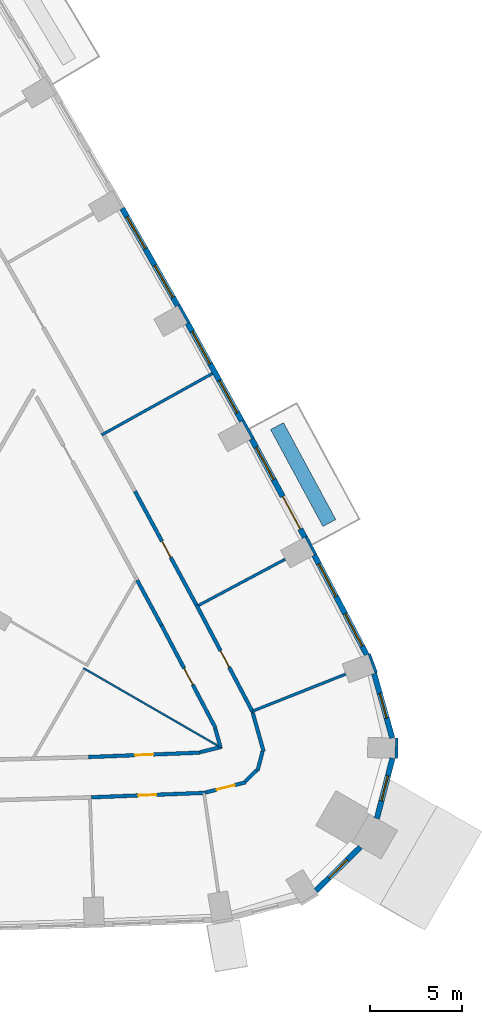
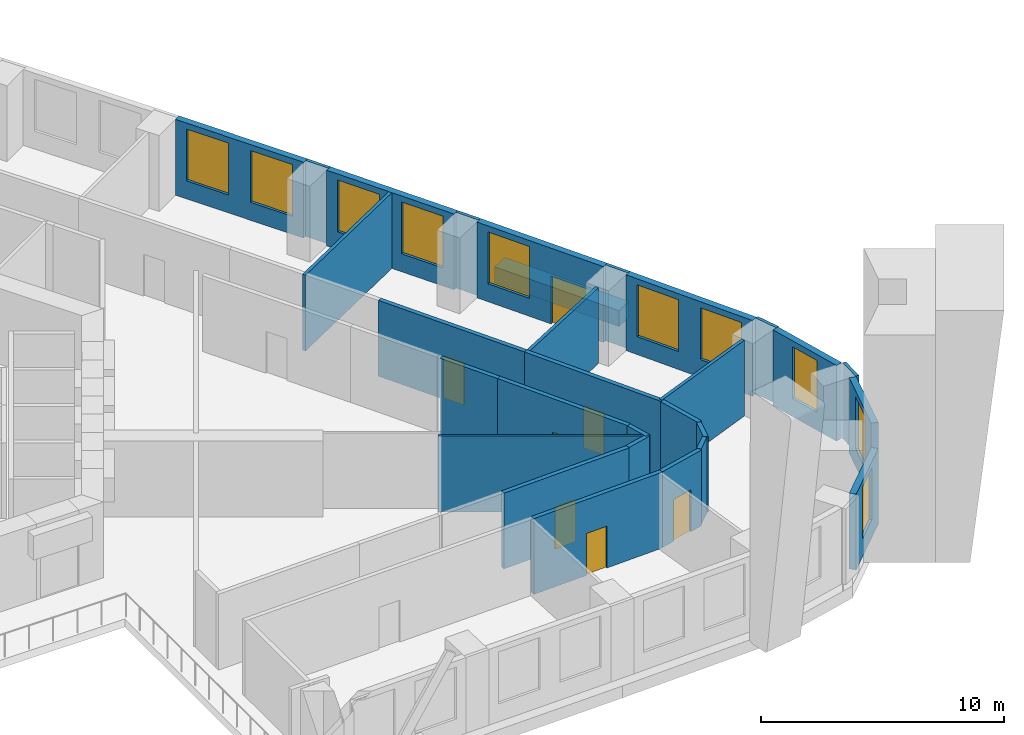
# One storey, part 11 of 15: 29 walls, 10 windows, 7 doors, 17 openings.
"""IFC4 building model written with IfcOpenShell, lengths in metres."""

from ifc_helpers import new_model, si_unit, direction, frame, frame_2d, origin, place, context, subcontext, project, spatial, rectangle, extrude, material, layer, layer_set, type_object, element, fill, save


model = new_model("IFC4")

# Units and contexts
model_context = context("Model", 3, precision=1e-05, world=origin(), true_north=direction((0.0, 1.0)))
body_context = subcontext(model_context, "Body", "Model", "MODEL_VIEW")
ifc_project = project(units=[si_unit("LENGTHUNIT", "METRE"), si_unit("AREAUNIT", "SQUARE_METRE"), si_unit("VOLUMEUNIT", "CUBIC_METRE"), si_unit("PLANEANGLEUNIT", "RADIAN"), si_unit("MASSUNIT", "GRAM", prefix="KILO")], contexts=[model_context])

# Site, building, storey
site_placement = place(None, origin())
site = spatial("IfcSite", under=ifc_project, at=site_placement, CompositionType="ELEMENT")
building_placement = place(site_placement, origin())
building = spatial("IfcBuilding", under=site, at=building_placement, Name="Entoto Arch Interchange Tower", CompositionType="ELEMENT")
storey_placement = place(building_placement, frame((0.0, 0.0, 99.199951171875)))
storey = spatial("IfcBuildingStorey", under=building, at=storey_placement, Name="L21", CompositionType="ELEMENT", Elevation=99.199951171875)

# Walls
ifc_material_1 = material(Name="Gypsum board partition on steel studs", Category="steel")
ifc_layer_1 = layer(ifc_material_1, 0.10009765625)
ifc_layer_set_1 = layer_set([ifc_layer_1], Name="Gypsum board partition on steel studs")
wall_type_1 = type_object("IfcWallType", Name="PARTITION 100", PredefinedType="PARTITIONING", material=ifc_layer_set_1)
wall_1_placement = place(storey_placement, frame((21.196044921875, -12.238037109375, 0.0), z_axis=(0.0, 0.0, 1.0), x_axis=(0.866023145199, -0.500003911965, 0.0)))
element("IfcWall", 1, at=wall_1_placement, inside=storey, type_object=wall_type_1, Name="wall:L21:p126", PredefinedType="PARTITIONING", context=body_context, shape_type="SweptSolid", body=[
    extrude(rectangle(XDim=8.7099609375, YDim=0.10009765625, at=frame_2d((4.35498046875, 0.0))), origin(), (0.0, 0.0, 1.0), 3.800048828125),
])
ifc_layer_2 = layer(ifc_material_1, 0.14990234375)
ifc_layer_set_2 = layer_set([ifc_layer_2], Name="Gypsum board partition on steel studs")
wall_type_2 = type_object("IfcWallType", Name="PARTITION 150", PredefinedType="PARTITIONING", material=ifc_layer_set_2)
wall_2_placement = place(storey_placement, frame((30.39892578125, -14.587890625, 0.0), z_axis=(0.0, 0.0, 1.0), x_axis=(0.92913411584, 0.36974287658, 0.0)))
element("IfcWall", 2, at=wall_2_placement, inside=storey, type_object=wall_type_2, Name="wall:L21:p139", PredefinedType="PARTITIONING", context=body_context, shape_type="SweptSolid", body=[
    extrude(rectangle(XDim=5.468505859375, YDim=0.14990234375, at=frame_2d((2.734375, 0.0))), origin(), (0.0, 0.0, 1.0), 3.800048828125),
])
wall_3_placement = place(storey_placement, frame((27.47607421875, -8.81396484375, 0.0), z_axis=(0.0, 0.0, 1.0), x_axis=(0.882440424847, 0.47042416668, 0.0)))
element("IfcWall", 3, at=wall_3_placement, inside=storey, type_object=wall_type_2, Name="wall:L21:p140", PredefinedType="PARTITIONING", context=body_context, shape_type="SweptSolid", body=[
    extrude(rectangle(XDim=5.329345703125, YDim=0.14990234375, at=frame_2d((2.66455078125, 0.0))), origin(), (0.0, 0.0, 1.0), 3.800048828125),
])
wall_4_placement = place(storey_placement, frame((22.18505859375, 0.472900390625, 0.0), z_axis=(0.0, 0.0, 1.0), x_axis=(0.874372498137, 0.485255329184, 0.0)))
element("IfcWall", 4, at=wall_4_placement, inside=storey, type_object=wall_type_2, Name="wall:L21:p141", PredefinedType="PARTITIONING", context=body_context, shape_type="SweptSolid", body=[
    extrude(rectangle(XDim=6.899658203125, YDim=0.14990234375, at=frame_2d((3.44970703125, 0.0))), origin(), (0.0, 0.0, 1.0), 3.800048828125),
])

# Wall, opening, door
ifc_layer_3 = layer(ifc_material_1, 0.199951171875)
ifc_layer_set_3 = layer_set([ifc_layer_3], Name="Gypsum board partition on steel studs")
wall_type_3 = type_object("IfcWallType", Name="PARTITION 200", PredefinedType="PARTITIONING", material=ifc_layer_set_3)
wall_5_placement = place(storey_placement, frame((21.470947265625, -17.0830078125, 0.0), z_axis=(0.0, 0.0, 1.0), x_axis=(0.999221407079, 0.039453512338, 0.0)))
wall_5 = element("IfcWall", 5, at=wall_5_placement, inside=storey, type_object=wall_type_3, Name="wall:L21:p022", PredefinedType="PARTITIONING", context=body_context, shape_type="SweptSolid", body=[
    extrude(rectangle(XDim=6.082763671875, YDim=0.199951171875, at=frame_2d((3.04150390625, 0.0))), origin(), (0.0, 0.0, 1.0), 3.800048828125),
])
opening_1_placement = place(wall_5_placement, frame((2.541015625, 0.0, 0.0)))
opening_1 = element("IfcOpeningElement", 6, at=opening_1_placement, cuts=wall_5, Name="Opening L21-D23", PredefinedType="OPENING", context=body_context, shape_type="SweptSolid", body=[
    extrude(rectangle(XDim=1.0, YDim=2.10009765625, at=frame_2d((0.5, 1.050048828125))), frame((0.0, 0.10986328125, 0.0), z_axis=(0.0, -1.0, 0.0), x_axis=(1.0, 0.0, 0.0)), (0.0, 0.0, 1.0), 0.219970703125),
])
ifc_material_2 = material(Name="Timber door leaf in Steel S235 frame", Category="steel")
door_type_1 = type_object("IfcDoorType", Name="DOOR DS-10 1000x2100", OperationType="SINGLE_SWING_LEFT", PredefinedType="DOOR", material=ifc_material_2)
door_1_placement = place(opening_1_placement, origin())
door_1 = element("IfcDoor", 7, at=door_1_placement, inside=storey, type_object=door_type_1, Name="door:L21:23", OperationType="SINGLE_SWING_LEFT", OverallHeight=2.10009765625, OverallWidth=1.0, PredefinedType="DOOR", context=body_context, shape_type="SweptSolid", body=[
    extrude(rectangle(XDim=1.0, YDim=2.10009765625, at=frame_2d((0.5, 1.050048828125))), frame((0.0, 0.02490234375, 0.0), z_axis=(0.0, -1.0, 0.0), x_axis=(1.0, 0.0, 0.0)), (0.0, 0.0, 1.0), 0.050048828125),
])
fill(opening_1, door_1)

# Walls
wall_6_placement = place(storey_placement, frame((27.5458984375, -16.822021484375, 0.0), z_axis=(0.0, 0.0, 1.0), x_axis=(0.969694756333, 0.244319625777, 0.0)))
element("IfcWall", 8, at=wall_6_placement, inside=storey, type_object=wall_type_3, Name="wall:L21:p023", PredefinedType="PARTITIONING", context=body_context, shape_type="SweptSolid", body=[
    extrude(rectangle(XDim=1.191162109375, YDim=0.199951171875, at=frame_2d((0.595703125, 0.0))), origin(), (0.0, 0.0, 1.0), 3.800048828125),
])
wall_7_placement = place(storey_placement, frame((28.662109375, -16.541015625, 0.0), z_axis=(0.0, 0.0, 1.0), x_axis=(-0.270771802087, 0.96264356394, 0.0)))
element("IfcWall", 9, at=wall_7_placement, inside=storey, type_object=wall_type_3, Name="wall:L21:p024", PredefinedType="PARTITIONING", context=body_context, shape_type="SweptSolid", body=[
    extrude(rectangle(XDim=1.078369140625, YDim=0.199951171875, at=frame_2d((0.5390625, 0.0))), origin(), (0.0, 0.0, 1.0), 3.800048828125),
])

# Wall, opening, door
wall_8_placement = place(storey_placement, frame((28.389892578125, -15.4951171875, 0.0), z_axis=(0.0, 0.0, 1.0), x_axis=(-0.465367816287, 0.885117390838, 0.0)))
wall_8 = element("IfcWall", 10, at=wall_8_placement, inside=storey, type_object=wall_type_3, Name="wall:L21:p025", PredefinedType="PARTITIONING", context=body_context, shape_type="SweptSolid", body=[
    extrude(rectangle(XDim=6.325927734375, YDim=0.199951171875, at=frame_2d((3.1630859375, 0.0))), origin(), (0.0, 0.0, 1.0), 3.800048828125),
])
opening_2_placement = place(wall_8_placement, frame((2.6630859375, 0.0, 0.0)))
opening_2 = element("IfcOpeningElement", 11, at=opening_2_placement, cuts=wall_8, Name="Opening L21-D24", PredefinedType="OPENING", context=body_context, shape_type="SweptSolid", body=[
    extrude(rectangle(XDim=1.0, YDim=2.10009765625, at=frame_2d((0.5, 1.050048828125))), frame((0.0, 0.10986328125, 0.0), z_axis=(0.0, -1.0, 0.0), x_axis=(1.0, 0.0, 0.0)), (0.0, 0.0, 1.0), 0.219970703125),
])
door_2_placement = place(opening_2_placement, origin())
door_2 = element("IfcDoor", 12, at=door_2_placement, inside=storey, type_object=door_type_1, Name="door:L21:24", OperationType="SINGLE_SWING_LEFT", OverallHeight=2.10009765625, OverallWidth=1.0, PredefinedType="DOOR", context=body_context, shape_type="SweptSolid", body=[
    extrude(rectangle(XDim=1.0, YDim=2.10009765625, at=frame_2d((0.5, 1.050048828125))), frame((0.0, 0.02490234375, 0.0), z_axis=(0.0, -1.0, 0.0), x_axis=(1.0, 0.0, 0.0)), (0.0, 0.0, 1.0), 0.050048828125),
])
fill(opening_2, door_2)

# Wall
wall_9_placement = place(storey_placement, frame((25.446044921875, -9.89599609375, 0.0), z_axis=(0.0, 0.0, 1.0), x_axis=(-0.475427182652, 0.879755076141, 0.0)))
element("IfcWall", 13, at=wall_9_placement, inside=storey, type_object=wall_type_3, Name="wall:L21:p026", PredefinedType="PARTITIONING", context=body_context, shape_type="SweptSolid", body=[
    extrude(rectangle(XDim=2.784912109375, YDim=0.199951171875, at=frame_2d((1.392578125, 0.0))), origin(), (0.0, 0.0, 1.0), 3.800048828125),
])

# Wall, opening, door
wall_10_placement = place(storey_placement, frame((27.864990234375, -19.031982421875, 0.0), z_axis=(0.0, 0.0, 1.0), x_axis=(-0.999218029978, -0.039538950003, 0.0)))
wall_10 = element("IfcWall", 14, at=wall_10_placement, inside=storey, type_object=wall_type_3, Name="wall:L21:p044", PredefinedType="PARTITIONING", context=body_context, shape_type="SweptSolid", body=[
    extrude(rectangle(XDim=6.248779296875, YDim=0.199951171875, at=frame_2d((3.12451171875, 0.0))), origin(), (0.0, 0.0, 1.0), 3.800048828125),
])
opening_3_placement = place(wall_10_placement, frame((2.698974609375, 0.0, 0.0)))
opening_3 = element("IfcOpeningElement", 15, at=opening_3_placement, cuts=wall_10, Name="Opening L21-D02", PredefinedType="OPENING", context=body_context, shape_type="SweptSolid", body=[
    extrude(rectangle(XDim=1.0, YDim=2.10009765625, at=frame_2d((0.5, 1.050048828125))), frame((0.0, 0.10986328125, 0.0), z_axis=(0.0, -1.0, 0.0), x_axis=(1.0, 0.0, 0.0)), (0.0, 0.0, 1.0), 0.219970703125),
])
door_3_placement = place(opening_3_placement, origin())
door_3 = element("IfcDoor", 16, at=door_3_placement, inside=storey, type_object=door_type_1, Name="door:L21:02", OperationType="SINGLE_SWING_LEFT", OverallHeight=2.10009765625, OverallWidth=1.0, PredefinedType="DOOR", context=body_context, shape_type="SweptSolid", body=[
    extrude(rectangle(XDim=1.0, YDim=2.10009765625, at=frame_2d((0.5, 1.050048828125))), frame((0.0, 0.02490234375, 0.0), z_axis=(0.0, -1.0, 0.0), x_axis=(1.0, 0.0, 0.0)), (0.0, 0.0, 1.0), 0.050048828125),
])
fill(opening_3, door_3)

# Walls
wall_11_placement = place(storey_placement, frame((30.426025390625, -14.68505859375, 0.0), z_axis=(0.0, 0.0, 1.0), x_axis=(0.270131711391, -0.962823378664, 0.0)))
element("IfcWall", 17, at=wall_11_placement, inside=storey, type_object=wall_type_3, Name="wall:L21:p045", PredefinedType="PARTITIONING", context=body_context, shape_type="SweptSolid", body=[
    extrude(rectangle(XDim=2.16552734375, YDim=0.199951171875, at=frame_2d((1.082763671875, 0.0))), origin(), (0.0, 0.0, 1.0), 3.800048828125),
])
wall_12_placement = place(storey_placement, frame((30.958984375, -16.77099609375, 0.0), z_axis=(0.0, 0.0, 1.0), x_axis=(-0.251109729392, -0.967958627114, 0.0)))
element("IfcWall", 18, at=wall_12_placement, inside=storey, type_object=wall_type_3, Name="wall:L21:p046", PredefinedType="PARTITIONING", context=body_context, shape_type="SweptSolid", body=[
    extrude(rectangle(XDim=1.0908203125, YDim=0.199951171875, at=frame_2d((0.54541015625, 0.0))), origin(), (0.0, 0.0, 1.0), 3.800048828125),
])
wall_13_placement = place(storey_placement, frame((30.638916015625, -17.801025390625, 0.0), z_axis=(0.0, 0.0, 1.0), x_axis=(-0.713329122722, -0.700829196507, 0.0)))
element("IfcWall", 19, at=wall_13_placement, inside=storey, type_object=wall_type_3, Name="wall:L21:p047", PredefinedType="PARTITIONING", context=body_context, shape_type="SweptSolid", body=[
    extrude(rectangle(XDim=0.87890625, YDim=0.199951171875, at=frame_2d((0.439453125, 0.0))), origin(), (0.0, 0.0, 1.0), 3.800048828125),
])

# Wall, opening, door
wall_14_placement = place(storey_placement, frame((30.037109375, -18.462890625, 0.0), z_axis=(0.0, 0.0, 1.0), x_axis=(-0.969686214682, -0.244353524746, 0.0)))
wall_14 = element("IfcWall", 20, at=wall_14_placement, inside=storey, type_object=wall_type_3, Name="wall:L21:p048", PredefinedType="PARTITIONING", context=body_context, shape_type="SweptSolid", body=[
    extrude(rectangle(XDim=2.2431640625, YDim=0.199951171875, at=frame_2d((1.12158203125, 0.0))), origin(), (0.0, 0.0, 1.0), 3.800048828125),
])
opening_4_placement = place(wall_14_placement, frame((0.6220703125, 0.0, 0.0)))
opening_4 = element("IfcOpeningElement", 21, at=opening_4_placement, cuts=wall_14, Name="Opening L21-D03", PredefinedType="OPENING", context=body_context, shape_type="SweptSolid", body=[
    extrude(rectangle(XDim=1.0, YDim=2.10009765625, at=frame_2d((0.5, 1.050048828125))), frame((0.0, 0.10986328125, 0.0), z_axis=(0.0, -1.0, 0.0), x_axis=(1.0, 0.0, 0.0)), (0.0, 0.0, 1.0), 0.219970703125),
])
door_4_placement = place(opening_4_placement, origin())
door_4 = element("IfcDoor", 22, at=door_4_placement, inside=storey, type_object=door_type_1, Name="door:L21:03", OperationType="SINGLE_SWING_LEFT", OverallHeight=2.10009765625, OverallWidth=1.0, PredefinedType="DOOR", context=body_context, shape_type="SweptSolid", body=[
    extrude(rectangle(XDim=1.0, YDim=2.10009765625, at=frame_2d((0.5, 1.050048828125))), frame((0.0, 0.02490234375, 0.0), z_axis=(0.0, -1.0, 0.0), x_axis=(1.0, 0.0, 0.0)), (0.0, 0.0, 1.0), 0.050048828125),
])
fill(opening_4, door_4)

wall_15_placement = place(storey_placement, frame((27.35302734375, -8.7939453125, 0.0), z_axis=(0.0, 0.0, 1.0), x_axis=(0.465239168813, -0.885185017836, 0.0)))
wall_15 = element("IfcWall", 23, at=wall_15_placement, inside=storey, type_object=wall_type_3, Name="wall:L21:p049", PredefinedType="PARTITIONING", context=body_context, shape_type="SweptSolid", body=[
    extrude(rectangle(XDim=6.646240234375, YDim=0.199951171875, at=frame_2d((3.3232421875, 0.0))), origin(), (0.0, 0.0, 1.0), 3.800048828125),
])
opening_5_placement = place(wall_15_placement, frame((2.822998046875, 0.0, 0.0)))
opening_5 = element("IfcOpeningElement", 24, at=opening_5_placement, cuts=wall_15, Name="Opening L21-D04", PredefinedType="OPENING", context=body_context, shape_type="SweptSolid", body=[
    extrude(rectangle(XDim=1.0, YDim=2.10009765625, at=frame_2d((0.5, 1.050048828125))), frame((0.0, 0.10986328125, 0.0), z_axis=(0.0, -1.0, 0.0), x_axis=(1.0, 0.0, 0.0)), (0.0, 0.0, 1.0), 0.219970703125),
])
door_5_placement = place(opening_5_placement, origin())
door_5 = element("IfcDoor", 25, at=door_5_placement, inside=storey, type_object=door_type_1, Name="door:L21:04", OperationType="SINGLE_SWING_LEFT", OverallHeight=2.10009765625, OverallWidth=1.0, PredefinedType="DOOR", context=body_context, shape_type="SweptSolid", body=[
    extrude(rectangle(XDim=1.0, YDim=2.10009765625, at=frame_2d((0.5, 1.050048828125))), frame((0.0, 0.02490234375, 0.0), z_axis=(0.0, -1.0, 0.0), x_axis=(1.0, 0.0, 0.0)), (0.0, 0.0, 1.0), 0.050048828125),
])
fill(opening_5, door_5)

wall_16_placement = place(storey_placement, frame((24.0, -2.593017578125, 0.0), z_axis=(0.0, 0.0, 1.0), x_axis=(0.475480817472, -0.879726089312, 0.0)))
wall_16 = element("IfcWall", 26, at=wall_16_placement, inside=storey, type_object=wall_type_3, Name="wall:L21:p051", PredefinedType="PARTITIONING", context=body_context, shape_type="SweptSolid", body=[
    extrude(rectangle(XDim=7.0498046875, YDim=0.199951171875, at=frame_2d((3.52490234375, 0.0))), origin(), (0.0, 0.0, 1.0), 3.800048828125),
])
opening_6_placement = place(wall_16_placement, frame((3.10009765625, 0.0, 0.0)))
opening_6 = element("IfcOpeningElement", 27, at=opening_6_placement, cuts=wall_16, Name="Opening L21-D05", PredefinedType="OPENING", context=body_context, shape_type="SweptSolid", body=[
    extrude(rectangle(XDim=1.0, YDim=2.10009765625, at=frame_2d((0.5, 1.050048828125))), frame((0.0, 0.10986328125, 0.0), z_axis=(0.0, -1.0, 0.0), x_axis=(1.0, 0.0, 0.0)), (0.0, 0.0, 1.0), 0.219970703125),
])
door_6_placement = place(opening_6_placement, origin())
door_6 = element("IfcDoor", 28, at=door_6_placement, inside=storey, type_object=door_type_1, Name="door:L21:05", OperationType="SINGLE_SWING_LEFT", OverallHeight=2.10009765625, OverallWidth=1.0, PredefinedType="DOOR", context=body_context, shape_type="SweptSolid", body=[
    extrude(rectangle(XDim=1.0, YDim=2.10009765625, at=frame_2d((0.5, 1.050048828125))), frame((0.0, 0.02490234375, 0.0), z_axis=(0.0, -1.0, 0.0), x_axis=(1.0, 0.0, 0.0)), (0.0, 0.0, 1.0), 0.050048828125),
])
fill(opening_6, door_6)

# Wall
ifc_material_3 = material(Name="Board-marked precast concrete C50/60", Category="concrete")
ifc_layer_4 = layer(ifc_material_3, 0.800048828125)
ifc_layer_set_4 = layer_set([ifc_layer_4], Name="Board-marked precast concrete C50/60")
wall_type_4 = type_object("IfcWallType", Name="PLANTER RC 800 Juniperus procera", PredefinedType="STANDARD", material=ifc_layer_set_4)
wall_17_placement = place(storey_placement, frame((34.59912109375, -4.327880859375, 0.0), z_axis=(0.0, 0.0, 1.0), x_axis=(-0.475304416573, 0.879821408916, 0.0)))
element("IfcWall", 29, at=wall_17_placement, inside=storey, type_object=wall_type_4, Name="Planter NE-02 L21", PredefinedType="STANDARD", context=body_context, shape_type="SweptSolid", body=[
    extrude(rectangle(XDim=6.004638671875, YDim=0.800048828125, at=frame_2d((3.00244140625, 0.0))), origin(), (0.0, 0.0, 1.0), 0.800048828125),
])

# Wall, opening, window
ifc_material_4 = material(Name="Welded tuff (ignimbrite) cladding, warm buff", Category="masonry")
ifc_layer_5 = layer(ifc_material_4, 0.300048828125)
ifc_layer_set_5 = layer_set([ifc_layer_5], Name="Welded tuff (ignimbrite) cladding, warm buff")
wall_type_5 = type_object("IfcWallType", Name="STONE INFILL WALL 300", PredefinedType="STANDARD", material=ifc_layer_set_5)
wall_18_placement = place(storey_placement, frame((33.867919921875, -24.3740234375, 0.0), z_axis=(0.0, 0.0, 1.0), x_axis=(0.712546371703, 0.701625019631, 0.0)))
wall_18 = element("IfcWall", 30, at=wall_18_placement, inside=storey, type_object=wall_type_5, Name="Facade wall SE-02 L21", PredefinedType="STANDARD", context=body_context, shape_type="SweptSolid", body=[
    extrude(rectangle(XDim=3.39794921875, YDim=0.300048828125, at=frame_2d((1.698974609375, 0.0))), origin(), (0.0, 0.0, 1.0), 3.800048828125),
])
opening_7_placement = place(wall_18_placement, frame((0.9990234375, 0.0, 0.89990234375)))
opening_7 = element("IfcOpeningElement", 31, at=opening_7_placement, cuts=wall_18, Name="Opening WO-B", PredefinedType="OPENING", context=body_context, shape_type="SweptSolid", body=[
    extrude(rectangle(XDim=1.39990234375, YDim=2.60009765625, at=frame_2d((0.699951171875, 1.300048828125))), frame((0.0, 0.16015625, 0.0), z_axis=(0.0, -1.0, 0.0), x_axis=(1.0, 0.0, 0.0)), (0.0, 0.0, 1.0), 0.320068359375),
])
ifc_material_5 = material(Name="Clear glass, low-e double glazed", Category="glass")
window_type_1 = type_object("IfcWindowType", Name="WINDOW WO-B 1400x2600", PartitioningType="DOUBLE_PANEL_VERTICAL", PredefinedType="WINDOW", material=ifc_material_5)
window_1_placement = place(opening_7_placement, origin())
window_1 = element("IfcWindow", 32, at=window_1_placement, inside=storey, type_object=window_type_1, Name="Window WO-B SE-02 L21", OverallHeight=2.60009765625, OverallWidth=1.39990234375, PartitioningType="SINGLE_PANEL", PredefinedType="WINDOW", context=body_context, shape_type="SweptSolid", body=[
    extrude(rectangle(XDim=1.39990234375, YDim=2.60009765625, at=frame_2d((0.699951171875, 1.300048828125))), frame((0.0, 0.030029296875, 0.0), z_axis=(0.0, -1.0, 0.0), x_axis=(1.0, 0.0, 0.0)), (0.0, 0.0, 1.0), 0.06005859375),
])
fill(opening_7, window_1)

wall_19_placement = place(storey_placement, frame((37.18896484375, -20.43310546875, 0.0), z_axis=(0.0, 0.0, 1.0), x_axis=(0.251046938153, 0.967974914367, 0.0)))
wall_19 = element("IfcWall", 33, at=wall_19_placement, inside=storey, type_object=wall_type_5, Name="Facade wall SE-03 L21", PredefinedType="STANDARD", context=body_context, shape_type="SweptSolid", body=[
    extrude(rectangle(XDim=3.39794921875, YDim=0.300048828125, at=frame_2d((1.698974609375, 0.0))), origin(), (0.0, 0.0, 1.0), 3.800048828125),
])
opening_8_placement = place(wall_19_placement, frame((0.9990234375, 0.0, 0.89990234375)))
opening_8 = element("IfcOpeningElement", 34, at=opening_8_placement, cuts=wall_19, Name="Opening WO-B", PredefinedType="OPENING", context=body_context, shape_type="SweptSolid", body=[
    extrude(rectangle(XDim=1.39990234375, YDim=2.60009765625, at=frame_2d((0.699951171875, 1.300048828125))), frame((0.0, 0.16015625, 0.0), z_axis=(0.0, -1.0, 0.0), x_axis=(1.0, 0.0, 0.0)), (0.0, 0.0, 1.0), 0.320068359375),
])
window_2_placement = place(opening_8_placement, origin())
window_2 = element("IfcWindow", 35, at=window_2_placement, inside=storey, type_object=window_type_1, Name="Window WO-B SE-03 L21", OverallHeight=2.60009765625, OverallWidth=1.39990234375, PartitioningType="SINGLE_PANEL", PredefinedType="WINDOW", context=body_context, shape_type="SweptSolid", body=[
    extrude(rectangle(XDim=1.39990234375, YDim=2.60009765625, at=frame_2d((0.699951171875, 1.300048828125))), frame((0.0, 0.030029296875, 0.0), z_axis=(0.0, -1.0, 0.0), x_axis=(1.0, 0.0, 0.0)), (0.0, 0.0, 1.0), 0.06005859375),
])
fill(opening_8, window_2)

wall_20_placement = place(storey_placement, frame((38.02587890625, -16.0458984375, 0.0), z_axis=(0.0, 0.0, 1.0), x_axis=(-0.270054089595, 0.96284515302, 0.0)))
wall_20 = element("IfcWall", 36, at=wall_20_placement, inside=storey, type_object=wall_type_5, Name="Facade wall SE-04 L21", PredefinedType="STANDARD", context=body_context, shape_type="SweptSolid", body=[
    extrude(rectangle(XDim=3.650634765625, YDim=0.300048828125, at=frame_2d((1.8251953125, 0.0))), origin(), (0.0, 0.0, 1.0), 3.800048828125),
])
opening_9_placement = place(wall_20_placement, frame((1.125, 0.0, 0.89990234375)))
opening_9 = element("IfcOpeningElement", 37, at=opening_9_placement, cuts=wall_20, Name="Opening WO-B", PredefinedType="OPENING", context=body_context, shape_type="SweptSolid", body=[
    extrude(rectangle(XDim=1.39990234375, YDim=2.60009765625, at=frame_2d((0.699951171875, 1.300048828125))), frame((0.0, 0.16015625, 0.0), z_axis=(0.0, -1.0, 0.0), x_axis=(1.0, 0.0, 0.0)), (0.0, 0.0, 1.0), 0.320068359375),
])
window_3_placement = place(opening_9_placement, origin())
window_3 = element("IfcWindow", 38, at=window_3_placement, inside=storey, type_object=window_type_1, Name="Window WO-B SE-04 L21", OverallHeight=2.60009765625, OverallWidth=1.39990234375, PartitioningType="SINGLE_PANEL", PredefinedType="WINDOW", context=body_context, shape_type="SweptSolid", body=[
    extrude(rectangle(XDim=1.39990234375, YDim=2.60009765625, at=frame_2d((0.699951171875, 1.300048828125))), frame((0.0, 0.030029296875, 0.0), z_axis=(0.0, -1.0, 0.0), x_axis=(1.0, 0.0, 0.0)), (0.0, 0.0, 1.0), 0.06005859375),
])
fill(opening_9, window_3)

# Wall, openings, windows
wall_21_placement = place(storey_placement, frame((36.633056640625, -11.510986328125, 0.0), z_axis=(0.0, 0.0, 1.0), x_axis=(-0.465380908665, 0.88511050714, 0.0)))
wall_21 = element("IfcWall", 39, at=wall_21_placement, inside=storey, type_object=wall_type_5, Name="Facade wall NE-01 L21", PredefinedType="STANDARD", context=body_context, shape_type="SweptSolid", body=[
    extrude(rectangle(XDim=6.139404296875, YDim=0.300048828125, at=frame_2d((3.06982421875, 0.0))), origin(), (0.0, 0.0, 1.0), 3.800048828125),
])
opening_10_placement = place(wall_21_placement, frame((0.534912109375, 0.0, 0.89990234375)))
opening_10 = element("IfcOpeningElement", 40, at=opening_10_placement, cuts=wall_21, Name="Opening WO-C", PredefinedType="OPENING", context=body_context, shape_type="SweptSolid", body=[
    extrude(rectangle(XDim=2.0, YDim=2.60009765625, at=frame_2d((1.0, 1.300048828125))), frame((0.0, 0.16015625, 0.0), z_axis=(0.0, -1.0, 0.0), x_axis=(1.0, 0.0, 0.0)), (0.0, 0.0, 1.0), 0.320068359375),
])
opening_11_placement = place(wall_21_placement, frame((3.60400390625, 0.0, 0.89990234375)))
opening_11 = element("IfcOpeningElement", 41, at=opening_11_placement, cuts=wall_21, Name="Opening WO-C", PredefinedType="OPENING", context=body_context, shape_type="SweptSolid", body=[
    extrude(rectangle(XDim=2.0, YDim=2.60009765625, at=frame_2d((1.0, 1.300048828125))), frame((0.0, 0.16015625, 0.0), z_axis=(0.0, -1.0, 0.0), x_axis=(1.0, 0.0, 0.0)), (0.0, 0.0, 1.0), 0.320068359375),
])
window_type_2 = type_object("IfcWindowType", Name="WINDOW WO-C 2000x2600", PartitioningType="DOUBLE_PANEL_VERTICAL", PredefinedType="WINDOW", material=ifc_material_5)
window_4_placement = place(opening_10_placement, origin())
window_4 = element("IfcWindow", 42, at=window_4_placement, inside=storey, type_object=window_type_2, Name="Window WO-C NE-01 L21", OverallHeight=2.60009765625, OverallWidth=2.0, PartitioningType="SINGLE_PANEL", PredefinedType="WINDOW", context=body_context, shape_type="SweptSolid", body=[
    extrude(rectangle(XDim=2.0, YDim=2.60009765625, at=frame_2d((1.0, 1.300048828125))), frame((0.0, 0.030029296875, 0.0), z_axis=(0.0, -1.0, 0.0), x_axis=(1.0, 0.0, 0.0)), (0.0, 0.0, 1.0), 0.06005859375),
])
fill(opening_10, window_4)
window_5_placement = place(opening_11_placement, origin())
window_5 = element("IfcWindow", 43, at=window_5_placement, inside=storey, type_object=window_type_2, Name="Window WO-C NE-01 L21", OverallHeight=2.60009765625, OverallWidth=2.0, PartitioningType="SINGLE_PANEL", PredefinedType="WINDOW", context=body_context, shape_type="SweptSolid", body=[
    extrude(rectangle(XDim=2.0, YDim=2.60009765625, at=frame_2d((1.0, 1.300048828125))), frame((0.0, 0.030029296875, 0.0), z_axis=(0.0, -1.0, 0.0), x_axis=(1.0, 0.0, 0.0)), (0.0, 0.0, 1.0), 0.06005859375),
])
fill(opening_11, window_5)

# Wall, openings, door, window
wall_22_placement = place(storey_placement, frame((33.260009765625, -5.10791015625, 0.0), z_axis=(0.0, 0.0, 1.0), x_axis=(-0.475573079782, 0.879676216449, 0.0)))
wall_22 = element("IfcWall", 44, at=wall_22_placement, inside=storey, type_object=wall_type_5, Name="Facade wall NE-02 L21", PredefinedType="STANDARD", context=body_context, shape_type="SweptSolid", body=[
    extrude(rectangle(XDim=6.1044921875, YDim=0.300048828125, at=frame_2d((3.05224609375, 0.0))), origin(), (0.0, 0.0, 1.0), 3.800048828125),
])
opening_12_placement = place(wall_22_placement, frame((0.52587890625, 0.0, 0.0)))
opening_12 = element("IfcOpeningElement", 45, at=opening_12_placement, cuts=wall_22, Name="Opening DB-NE-02-L21", PredefinedType="OPENING", context=body_context, shape_type="SweptSolid", body=[
    extrude(rectangle(XDim=2.0, YDim=2.39990234375, at=frame_2d((1.0, 1.199951171875))), frame((0.0, 0.16015625, 0.0), z_axis=(0.0, -1.0, 0.0), x_axis=(1.0, 0.0, 0.0)), (0.0, 0.0, 1.0), 0.320068359375),
])
opening_13_placement = place(wall_22_placement, frame((3.577880859375, 0.0, 0.89990234375)))
opening_13 = element("IfcOpeningElement", 46, at=opening_13_placement, cuts=wall_22, Name="Opening WO-C", PredefinedType="OPENING", context=body_context, shape_type="SweptSolid", body=[
    extrude(rectangle(XDim=2.0, YDim=2.60009765625, at=frame_2d((1.0, 1.300048828125))), frame((0.0, 0.16015625, 0.0), z_axis=(0.0, -1.0, 0.0), x_axis=(1.0, 0.0, 0.0)), (0.0, 0.0, 1.0), 0.320068359375),
])
ifc_material_6 = material(Name="Aluminium and clear glass, anodised", Category="aluminium")
door_type_2 = type_object("IfcDoorType", Name="BALCONY DOOR DB 2000x2400", OperationType="SLIDING_TO_LEFT", PredefinedType="DOOR", material=ifc_material_6)
door_7_placement = place(opening_12_placement, origin())
door_7 = element("IfcDoor", 47, at=door_7_placement, inside=storey, type_object=door_type_2, Name="Balcony door NE-02 L21", OperationType="SLIDING_TO_LEFT", OverallHeight=2.39990234375, OverallWidth=2.0, PredefinedType="DOOR", context=body_context, shape_type="SweptSolid", body=[
    extrude(rectangle(XDim=2.0, YDim=2.39990234375, at=frame_2d((1.0, 1.199951171875))), frame((0.0, 0.02490234375, 0.0), z_axis=(0.0, -1.0, 0.0), x_axis=(1.0, 0.0, 0.0)), (0.0, 0.0, 1.0), 0.050048828125),
])
fill(opening_12, door_7)
window_6_placement = place(opening_13_placement, origin())
window_6 = element("IfcWindow", 48, at=window_6_placement, inside=storey, type_object=window_type_2, Name="Window WO-C NE-02 L21", OverallHeight=2.60009765625, OverallWidth=2.0, PartitioningType="SINGLE_PANEL", PredefinedType="WINDOW", context=body_context, shape_type="SweptSolid", body=[
    extrude(rectangle(XDim=2.0, YDim=2.60009765625, at=frame_2d((1.0, 1.300048828125))), frame((0.0, 0.030029296875, 0.0), z_axis=(0.0, -1.0, 0.0), x_axis=(1.0, 0.0, 0.0)), (0.0, 0.0, 1.0), 0.06005859375),
])
fill(opening_13, window_6)

# Wall, openings, windows
wall_23_placement = place(storey_placement, frame((29.830078125, 1.22509765625, 0.0), z_axis=(0.0, 0.0, 1.0), x_axis=(-0.485170774404, 0.874419418623, 0.0)))
wall_23 = element("IfcWall", 49, at=wall_23_placement, inside=storey, type_object=wall_type_5, Name="Facade wall NE-03 L21", PredefinedType="STANDARD", context=body_context, shape_type="SweptSolid", body=[
    extrude(rectangle(XDim=6.103271484375, YDim=0.300048828125, at=frame_2d((3.0517578125, 0.0))), origin(), (0.0, 0.0, 1.0), 3.800048828125),
])
opening_14_placement = place(wall_23_placement, frame((0.52587890625, 0.0, 0.89990234375)))
opening_14 = element("IfcOpeningElement", 50, at=opening_14_placement, cuts=wall_23, Name="Opening WO-C", PredefinedType="OPENING", context=body_context, shape_type="SweptSolid", body=[
    extrude(rectangle(XDim=2.0, YDim=2.60009765625, at=frame_2d((1.0, 1.300048828125))), frame((0.0, 0.16015625, 0.0), z_axis=(0.0, -1.0, 0.0), x_axis=(1.0, 0.0, 0.0)), (0.0, 0.0, 1.0), 0.320068359375),
])
opening_15_placement = place(wall_23_placement, frame((3.577880859375, 0.0, 0.89990234375)))
opening_15 = element("IfcOpeningElement", 51, at=opening_15_placement, cuts=wall_23, Name="Opening WO-C", PredefinedType="OPENING", context=body_context, shape_type="SweptSolid", body=[
    extrude(rectangle(XDim=2.0, YDim=2.60009765625, at=frame_2d((1.0, 1.300048828125))), frame((0.0, 0.16015625, 0.0), z_axis=(0.0, -1.0, 0.0), x_axis=(1.0, 0.0, 0.0)), (0.0, 0.0, 1.0), 0.320068359375),
])
window_7_placement = place(opening_14_placement, origin())
window_7 = element("IfcWindow", 52, at=window_7_placement, inside=storey, type_object=window_type_2, Name="Window WO-C NE-03 L21", OverallHeight=2.60009765625, OverallWidth=2.0, PartitioningType="SINGLE_PANEL", PredefinedType="WINDOW", context=body_context, shape_type="SweptSolid", body=[
    extrude(rectangle(XDim=2.0, YDim=2.60009765625, at=frame_2d((1.0, 1.300048828125))), frame((0.0, 0.030029296875, 0.0), z_axis=(0.0, -1.0, 0.0), x_axis=(1.0, 0.0, 0.0)), (0.0, 0.0, 1.0), 0.06005859375),
])
fill(opening_14, window_7)
window_8_placement = place(opening_15_placement, origin())
window_8 = element("IfcWindow", 53, at=window_8_placement, inside=storey, type_object=window_type_2, Name="Window WO-C NE-03 L21", OverallHeight=2.60009765625, OverallWidth=2.0, PartitioningType="SINGLE_PANEL", PredefinedType="WINDOW", context=body_context, shape_type="SweptSolid", body=[
    extrude(rectangle(XDim=2.0, YDim=2.60009765625, at=frame_2d((1.0, 1.300048828125))), frame((0.0, 0.030029296875, 0.0), z_axis=(0.0, -1.0, 0.0), x_axis=(1.0, 0.0, 0.0)), (0.0, 0.0, 1.0), 0.06005859375),
])
fill(opening_15, window_8)

wall_24_placement = place(storey_placement, frame((26.330078125, 7.52001953125, 0.0), z_axis=(0.0, 0.0, 1.0), x_axis=(-0.495113375427, 0.868828375154, 0.0)))
wall_24 = element("IfcWall", 54, at=wall_24_placement, inside=storey, type_object=wall_type_5, Name="Facade wall NE-04 L21", PredefinedType="STANDARD", context=body_context, shape_type="SweptSolid", body=[
    extrude(rectangle(XDim=6.103515625, YDim=0.300048828125, at=frame_2d((3.0517578125, 0.0))), origin(), (0.0, 0.0, 1.0), 3.800048828125),
])
opening_16_placement = place(wall_24_placement, frame((0.52587890625, 0.0, 0.89990234375)))
opening_16 = element("IfcOpeningElement", 55, at=opening_16_placement, cuts=wall_24, Name="Opening WO-C", PredefinedType="OPENING", context=body_context, shape_type="SweptSolid", body=[
    extrude(rectangle(XDim=2.0, YDim=2.60009765625, at=frame_2d((1.0, 1.300048828125))), frame((0.0, 0.16015625, 0.0), z_axis=(0.0, -1.0, 0.0), x_axis=(1.0, 0.0, 0.0)), (0.0, 0.0, 1.0), 0.320068359375),
])
opening_17_placement = place(wall_24_placement, frame((3.577880859375, 0.0, 0.89990234375)))
opening_17 = element("IfcOpeningElement", 56, at=opening_17_placement, cuts=wall_24, Name="Opening WO-C", PredefinedType="OPENING", context=body_context, shape_type="SweptSolid", body=[
    extrude(rectangle(XDim=2.0, YDim=2.60009765625, at=frame_2d((1.0, 1.300048828125))), frame((0.0, 0.16015625, 0.0), z_axis=(0.0, -1.0, 0.0), x_axis=(1.0, 0.0, 0.0)), (0.0, 0.0, 1.0), 0.320068359375),
])
window_9_placement = place(opening_16_placement, origin())
window_9 = element("IfcWindow", 57, at=window_9_placement, inside=storey, type_object=window_type_2, Name="Window WO-C NE-04 L21", OverallHeight=2.60009765625, OverallWidth=2.0, PartitioningType="SINGLE_PANEL", PredefinedType="WINDOW", context=body_context, shape_type="SweptSolid", body=[
    extrude(rectangle(XDim=2.0, YDim=2.60009765625, at=frame_2d((1.0, 1.300048828125))), frame((0.0, 0.030029296875, 0.0), z_axis=(0.0, -1.0, 0.0), x_axis=(1.0, 0.0, 0.0)), (0.0, 0.0, 1.0), 0.06005859375),
])
fill(opening_16, window_9)
window_10_placement = place(opening_17_placement, origin())
window_10 = element("IfcWindow", 58, at=window_10_placement, inside=storey, type_object=window_type_2, Name="Window WO-C NE-04 L21", OverallHeight=2.60009765625, OverallWidth=2.0, PartitioningType="SINGLE_PANEL", PredefinedType="WINDOW", context=body_context, shape_type="SweptSolid", body=[
    extrude(rectangle(XDim=2.0, YDim=2.60009765625, at=frame_2d((1.0, 1.300048828125))), frame((0.0, 0.030029296875, 0.0), z_axis=(0.0, -1.0, 0.0), x_axis=(1.0, 0.0, 0.0)), (0.0, 0.0, 1.0), 0.06005859375),
])
fill(opening_17, window_10)

# Walls
ifc_layer_6 = layer(ifc_material_4, 0.14990234375)
ifc_layer_set_6 = layer_set([ifc_layer_6], Name="Welded tuff (ignimbrite) cladding, warm buff")
wall_type_6 = type_object("IfcWallType", Name="STONE PIER CLADDING 150", PredefinedType="STANDARD", material=ifc_layer_set_6)
wall_25_placement = place(storey_placement, frame((37.153076171875, -12.489990234375, 0.0), z_axis=(0.0, 0.0, 1.0), x_axis=(-0.347205967468, 0.937788897436, 0.0)))
element("IfcWall", 59, at=wall_25_placement, inside=storey, type_object=wall_type_6, Name="Stone pier NE01 L21", PredefinedType="STANDARD", context=body_context, shape_type="SweptSolid", body=[
    extrude(rectangle(XDim=1.100341796875, YDim=0.14990234375, at=frame_2d((0.55029296875, 0.0))), origin(), (0.0, 0.0, 1.0), 3.800048828125),
])
wall_26_placement = place(storey_placement, frame((33.844970703125, -6.0419921875, 0.0), z_axis=(0.0, 0.0, 1.0), x_axis=(-0.46919310775, 0.883095593716, 0.0)))
element("IfcWall", 60, at=wall_26_placement, inside=storey, type_object=wall_type_6, Name="Stone pier NE02 L21", PredefinedType="STANDARD", context=body_context, shape_type="SweptSolid", body=[
    extrude(rectangle(XDim=1.099365234375, YDim=0.14990234375, at=frame_2d((0.5498046875, 0.0))), origin(), (0.0, 0.0, 1.0), 3.800048828125),
])
wall_27_placement = place(storey_placement, frame((30.426025390625, 0.298095703125, 0.0), z_axis=(0.0, 0.0, 1.0), x_axis=(-0.479737645119, 0.877411985247, 0.0)))
element("IfcWall", 61, at=wall_27_placement, inside=storey, type_object=wall_type_6, Name="Stone pier NE03 L21", PredefinedType="STANDARD", context=body_context, shape_type="SweptSolid", body=[
    extrude(rectangle(XDim=1.100830078125, YDim=0.14990234375, at=frame_2d((0.55029296875, 0.0))), origin(), (0.0, 0.0, 1.0), 3.800048828125),
])
for number, where, z_axis, x_axis, name in (
    (62, (26.93701171875, 6.60009765625, 0.0), (0.0, 0.0, 1.0), (-0.490008344094, 0.871717742574, 0.0), "Stone pier NE04 L21"),
    (63, (38.25, -17.14990234375, 0.0), (0.0, 0.0, 1.0), (0.023522901136, 0.999723298279, 0.0), "Stone pier SE3 L21"),
):
    element("IfcWall", number, at=place(storey_placement, frame(where, z_axis=z_axis, x_axis=x_axis)), inside=storey, type_object=wall_type_6, Name=name, PredefinedType="STANDARD", context=body_context, shape_type="SweptSolid", body=[
        extrude(rectangle(XDim=1.10009765625, YDim=0.14990234375, at=frame_2d((0.550048828125, 0.0))), origin(), (0.0, 0.0, 1.0), 3.800048828125),
    ])

save(model, "model.ifc")
